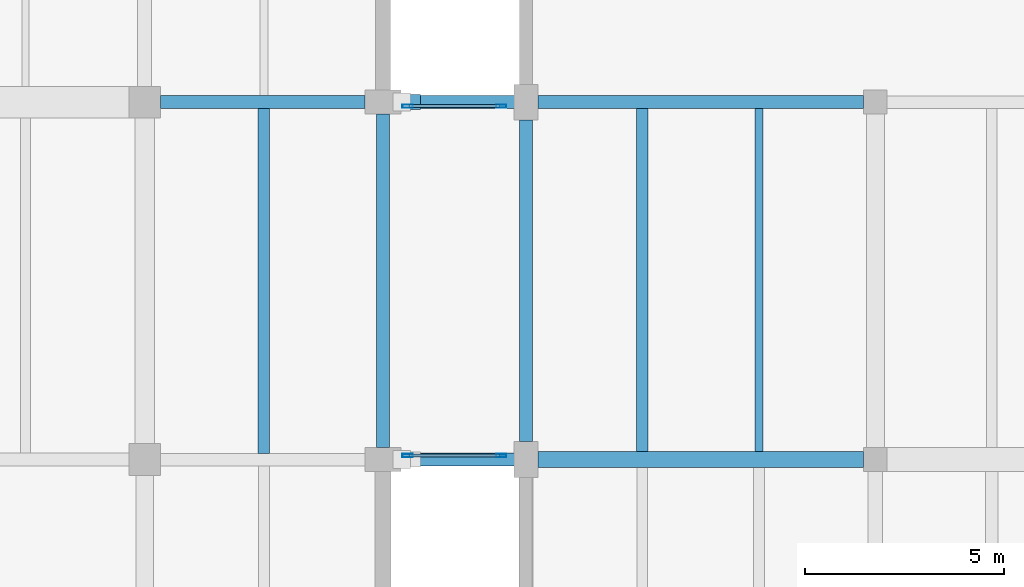
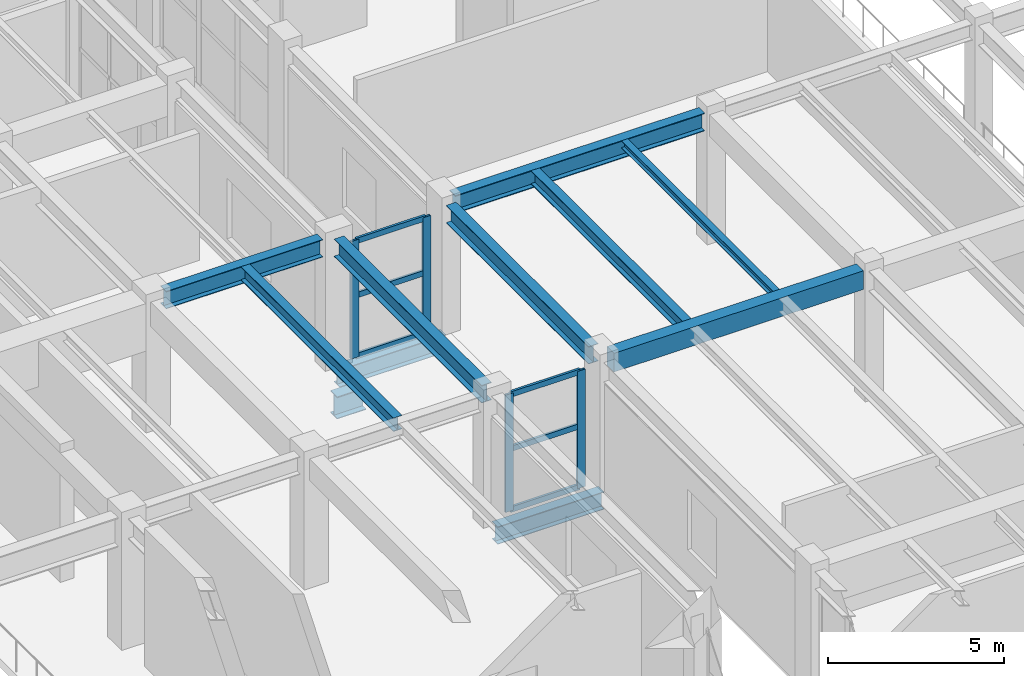
# One storey, part 33 of 96: 11 beams, 10 members, 2 elements without a shape of their own.
"""IFC4 building model written with IfcOpenShell, lengths in metres."""

from ifc_helpers import new_model, si_unit, direction, frame, origin, origin_2d, place, context, subcontext, project, spatial, rectangle, hollow_rectangle, i_section, extrude, material, layer, layer_set, material_profile, profile_set, type_object, element, aggregate, save


model = new_model("IFC4")

# Units and contexts
model_context = context("Model", 3, precision=1e-05, world=origin(), true_north=direction((0.0, 1.0)))
body_context = subcontext(model_context, "Body", "Model", "MODEL_VIEW")
ifc_project = project(units=[si_unit("LENGTHUNIT", "METRE"), si_unit("AREAUNIT", "SQUARE_METRE"), si_unit("VOLUMEUNIT", "CUBIC_METRE"), si_unit("PLANEANGLEUNIT", "RADIAN"), si_unit("MASSUNIT", "GRAM", prefix="KILO")], contexts=[model_context])

# Site, building, storey
site_placement = place(None, origin())
site = spatial("IfcSite", under=ifc_project, at=site_placement, CompositionType="ELEMENT")
building_placement = place(site_placement, origin())
building = spatial("IfcBuilding", under=site, at=building_placement, Name="Vaelkrest Opera House", CompositionType="ELEMENT")
storey_placement = place(building_placement, frame((0.0, 0.0, 5.39990234375)))
storey = spatial("IfcBuildingStorey", under=building, at=storey_placement, Name="L01", CompositionType="ELEMENT", Elevation=5.39990234375)

# Beams
ifc_material_1 = material(Name="Concrete C50/60", Category="concrete")
ifc_material_profile_1 = material_profile(ifc_material_1, rectangle(XDim=0.39990234375, YDim=0.64990234375, at=origin_2d()), Name="RCB400X650")
ifc_profile_set_1 = profile_set([ifc_material_profile_1], Name="Concrete C50/60")
beam_type_1 = type_object("IfcBeamType", Name="B01", PredefinedType="BEAM", material=ifc_profile_set_1)
beam_1_placement = place(storey_placement, frame((33.89990234375, -7.800048828125, 4.175048828125), z_axis=(1.0, 0.0, 0.0), x_axis=(0.0, 1.0, 0.0)))
element("IfcBeam", 1, at=beam_1_placement, inside=storey, type_object=beam_type_1, Name="Beam BM-V4-L01-2133", PredefinedType="BEAM", context=body_context, shape_type="SweptSolid", body=[
    extrude(rectangle(XDim=0.39990234375, YDim=0.64990234375, at=origin_2d()), origin(), (0.0, 0.0, 1.0), 8.2001953125),
])
ifc_material_2 = material(Name="Steel A992 Gr50", Category="steel")
ifc_material_profile_2 = material_profile(ifc_material_2, i_section(OverallWidth=0.323974609375, OverallDepth=0.611083984375, WebThickness=0.0126953125, FlangeThickness=0.01904296875, at=origin_2d()), Name="W24X104")
ifc_profile_set_2 = profile_set([ifc_material_profile_2], Name="Steel A992 Gr50")
beam_type_2 = type_object("IfcBeamType", Name="B08", PredefinedType="BEAM", material=ifc_profile_set_2)
beam_2_placement = place(storey_placement, frame((24.39990234375, 1.199951171875, 4.194580078125), z_axis=(1.0, 0.0, 0.0), x_axis=(0.0, 1.0, 0.0)))
element("IfcBeam", 2, at=beam_2_placement, inside=storey, type_object=beam_type_2, Name="Beam BM-V1-L01-0241", PredefinedType="BEAM", context=body_context, shape_type="SweptSolid", body=[
    extrude(i_section(OverallWidth=0.323974609375, OverallDepth=0.611083984375, WebThickness=0.0126953125, FlangeThickness=0.01904296875, at=origin_2d()), origin(), (0.0, 0.0, 1.0), 5.150146484375),
])
ifc_material_profile_3 = material_profile(ifc_material_2, i_section(OverallWidth=0.326904296875, OverallDepth=0.6220703125, WebThickness=0.015380859375, FlangeThickness=0.0244140625, at=origin_2d()), Name="W24X131")
ifc_profile_set_3 = profile_set([ifc_material_profile_3], Name="Steel A992 Gr50")
beam_type_3 = type_object("IfcBeamType", Name="B19", PredefinedType="BEAM", material=ifc_profile_set_3)
beam_3_placement = place(storey_placement, frame((33.89990234375, 1.199951171875, 4.189208984375), z_axis=(1.0, 0.0, 0.0), x_axis=(0.0, 1.0, 0.0)))
element("IfcBeam", 3, at=beam_3_placement, inside=storey, type_object=beam_type_3, Name="Beam BM-V4-L01-2139", PredefinedType="BEAM", context=body_context, shape_type="SweptSolid", body=[
    extrude(i_section(OverallWidth=0.326904296875, OverallDepth=0.6220703125, WebThickness=0.015380859375, FlangeThickness=0.0244140625, at=origin_2d()), origin(), (0.0, 0.0, 1.0), 8.2001953125),
])

# Curtain wall, members
ifc_material_3 = material(Name="Dark bronze anodized aluminium", Category="aluminium")
ifc_layer = layer(ifc_material_3, 0.2099609375)
ifc_layer_set = layer_set([ifc_layer], Name="Dark bronze anodized aluminium")
curtain_wall_type = type_object("IfcCurtainWallType", Name="CW04", PredefinedType="NOTDEFINED", material=ifc_layer_set)
curtain_wall_1_placement = place(storey_placement, origin())
curtain_wall_1 = element("IfcCurtainWall", 4, at=curtain_wall_1_placement, inside=storey, type_object=curtain_wall_type, Name="Curtain wall CW-L01-180", PredefinedType="NOTDEFINED")
ifc_material_profile_4 = material_profile(ifc_material_3, hollow_rectangle(XDim=0.080078125, YDim=0.260009765625, WallThickness=0.0048828125, at=origin_2d()), Name="CWM80X260")
ifc_profile_set_4 = profile_set([ifc_material_profile_4], Name="Dark bronze anodized aluminium")
member_type_1 = type_object("IfcMemberType", Name="CWM04", PredefinedType="MULLION", material=ifc_profile_set_4)
member_1_placement = place(storey_placement, frame((32.97998046875, -7.699951171875, 0.0), z_axis=(0.0, 0.0, 1.0), x_axis=(0.0, -1.0, 0.0)))
member_1 = element("IfcMember", 5, at=member_1_placement, type_object=member_type_1, Name="CW04 mullion 1", PredefinedType="MULLION", context=body_context, shape_type="SweptSolid", body=[
    extrude(hollow_rectangle(XDim=0.080078125, YDim=0.260009765625, WallThickness=0.0048828125, at=origin_2d()), origin(), (0.0, 0.0, 1.0), 4.080078125),
])
member_2_placement = place(storey_placement, frame((30.6201171875, -7.699951171875, 0.0), z_axis=(0.0, 0.0, 1.0), x_axis=(0.0, -1.0, 0.0)))
member_2 = element("IfcMember", 6, at=member_2_placement, type_object=member_type_1, Name="CW04 mullion 2", PredefinedType="MULLION", context=body_context, shape_type="SweptSolid", body=[
    extrude(hollow_rectangle(XDim=0.080078125, YDim=0.260009765625, WallThickness=0.0048828125, at=origin_2d()), origin(), (0.0, 0.0, 1.0), 4.080078125),
])

curtain_wall_2_placement = place(storey_placement, origin())
curtain_wall_2 = element("IfcCurtainWall", 7, at=curtain_wall_2_placement, inside=storey, type_object=curtain_wall_type, Name="Curtain wall CW-L01-181", PredefinedType="NOTDEFINED")
member_3_placement = place(storey_placement, frame((30.6201171875, 1.10009765625, 0.0), z_axis=(0.0, 0.0, 1.0), x_axis=(0.0, 1.0, 0.0)))
member_3 = element("IfcMember", 8, at=member_3_placement, type_object=member_type_1, Name="CW04 mullion 1", PredefinedType="MULLION", context=body_context, shape_type="SweptSolid", body=[
    extrude(hollow_rectangle(XDim=0.080078125, YDim=0.260009765625, WallThickness=0.0048828125, at=origin_2d()), origin(), (0.0, 0.0, 1.0), 4.080078125),
])
member_4_placement = place(storey_placement, frame((32.97998046875, 1.10009765625, 0.0), z_axis=(0.0, 0.0, 1.0), x_axis=(0.0, 1.0, 0.0)))
member_4 = element("IfcMember", 9, at=member_4_placement, type_object=member_type_1, Name="CW04 mullion 2", PredefinedType="MULLION", context=body_context, shape_type="SweptSolid", body=[
    extrude(hollow_rectangle(XDim=0.080078125, YDim=0.260009765625, WallThickness=0.0048828125, at=origin_2d()), origin(), (0.0, 0.0, 1.0), 4.080078125),
])

# Member
ifc_material_profile_5 = material_profile(ifc_material_3, hollow_rectangle(XDim=0.080078125, YDim=0.18994140625, WallThickness=0.0048828125, at=origin_2d()), Name="CWT80X190")
ifc_profile_set_5 = profile_set([ifc_material_profile_5], Name="Dark bronze anodized aluminium")
member_type_2 = type_object("IfcMemberType", Name="CWT04", PredefinedType="USERDEFINED", material=ifc_profile_set_5)
member_5_placement = place(storey_placement, frame((32.93994140625, -7.699951171875, 0.0400390625), z_axis=(-1.0, 0.0, 0.0), x_axis=(0.0, -1.0, 0.0)))
member_5 = element("IfcMember", 10, at=member_5_placement, type_object=member_type_2, Name="CW04 transom 1.1", ObjectType="TRANSOM", PredefinedType="USERDEFINED", context=body_context, shape_type="SweptSolid", body=[
    extrude(hollow_rectangle(XDim=0.080078125, YDim=0.18994140625, WallThickness=0.0048828125, at=origin_2d()), origin(), (0.0, 0.0, 1.0), 2.280029296875),
])

member_6_placement = place(storey_placement, frame((32.93994140625, -7.699951171875, 2.150146484375), z_axis=(-1.0, 0.0, 0.0), x_axis=(0.0, -1.0, 0.0)))
member_6 = element("IfcMember", 11, at=member_6_placement, type_object=member_type_2, Name="CW04 transom 1.2", ObjectType="TRANSOM", PredefinedType="USERDEFINED", context=body_context, shape_type="SweptSolid", body=[
    extrude(hollow_rectangle(XDim=0.080078125, YDim=0.18994140625, WallThickness=0.0048828125, at=origin_2d()), origin(), (0.0, 0.0, 1.0), 2.280029296875),
])

member_7_placement = place(storey_placement, frame((32.93994140625, -7.699951171875, 4.0400390625), z_axis=(-1.0, 0.0, 0.0), x_axis=(0.0, -1.0, 0.0)))
member_7 = element("IfcMember", 12, at=member_7_placement, type_object=member_type_2, Name="CW04 transom 1.3", ObjectType="TRANSOM", PredefinedType="USERDEFINED", context=body_context, shape_type="SweptSolid", body=[
    extrude(hollow_rectangle(XDim=0.080078125, YDim=0.18994140625, WallThickness=0.0048828125, at=origin_2d()), origin(), (0.0, 0.0, 1.0), 2.280029296875),
])

aggregate(curtain_wall_1, [member_1, member_2, member_5, member_6, member_7])

member_8_placement = place(storey_placement, frame((30.659912109375, 1.10009765625, 0.0400390625), z_axis=(1.0, 0.0, 0.0), x_axis=(0.0, 1.0, 0.0)))
member_8 = element("IfcMember", 13, at=member_8_placement, type_object=member_type_2, Name="CW04 transom 1.1", ObjectType="TRANSOM", PredefinedType="USERDEFINED", context=body_context, shape_type="SweptSolid", body=[
    extrude(hollow_rectangle(XDim=0.080078125, YDim=0.18994140625, WallThickness=0.0048828125, at=origin_2d()), origin(), (0.0, 0.0, 1.0), 2.280029296875),
])

member_9_placement = place(storey_placement, frame((30.659912109375, 1.10009765625, 2.150146484375), z_axis=(1.0, 0.0, 0.0), x_axis=(0.0, 1.0, 0.0)))
member_9 = element("IfcMember", 14, at=member_9_placement, type_object=member_type_2, Name="CW04 transom 1.2", ObjectType="TRANSOM", PredefinedType="USERDEFINED", context=body_context, shape_type="SweptSolid", body=[
    extrude(hollow_rectangle(XDim=0.080078125, YDim=0.18994140625, WallThickness=0.0048828125, at=origin_2d()), origin(), (0.0, 0.0, 1.0), 2.280029296875),
])

member_10_placement = place(storey_placement, frame((30.659912109375, 1.10009765625, 4.0400390625), z_axis=(1.0, 0.0, 0.0), x_axis=(0.0, 1.0, 0.0)))
member_10 = element("IfcMember", 15, at=member_10_placement, type_object=member_type_2, Name="CW04 transom 1.3", ObjectType="TRANSOM", PredefinedType="USERDEFINED", context=body_context, shape_type="SweptSolid", body=[
    extrude(hollow_rectangle(XDim=0.080078125, YDim=0.18994140625, WallThickness=0.0048828125, at=origin_2d()), origin(), (0.0, 0.0, 1.0), 2.280029296875),
])

aggregate(curtain_wall_2, [member_3, member_4, member_8, member_9, member_10])

# Beams
ifc_material_profile_6 = material_profile(ifc_material_2, i_section(OverallWidth=0.2041015625, OverallDepth=0.257080078125, WebThickness=0.0087890625, FlangeThickness=0.015625, at=origin_2d()), Name="W10X45")
ifc_profile_set_6 = profile_set([ifc_material_profile_6], Name="Steel A992 Gr50")
beam_type_4 = type_object("IfcBeamType", Name="J01", PredefinedType="JOIST", material=ifc_profile_set_6)
beam_4_placement = place(storey_placement, frame((39.467041015625, -7.60009765625, 4.37158203125), z_axis=(0.0, 1.0, 0.0), x_axis=(-1.0, 0.0, 0.0)))
element("IfcBeam", 16, at=beam_4_placement, inside=storey, type_object=beam_type_4, Name="Floor joist JST-V4-L01-2221", PredefinedType="JOIST", context=body_context, shape_type="SweptSolid", body=[
    extrude(i_section(OverallWidth=0.2041015625, OverallDepth=0.257080078125, WebThickness=0.0087890625, FlangeThickness=0.015625, at=origin_2d()), origin(), (0.0, 0.0, 1.0), 8.63671875),
])
ifc_material_profile_7 = material_profile(ifc_material_2, i_section(OverallWidth=0.282958984375, OverallDepth=0.471923828125, WebThickness=0.013671875, FlangeThickness=0.022216796875, at=origin_2d()), Name="W18X97")
ifc_profile_set_7 = profile_set([ifc_material_profile_7], Name="Steel A992 Gr50")
beam_type_5 = type_object("IfcBeamType", Name="J10", PredefinedType="JOIST", material=ifc_profile_set_7)
beam_5_placement = place(storey_placement, frame((27.0, -7.642578125, 4.26416015625), z_axis=(0.0, 1.0, 0.0), x_axis=(-1.0, 0.0, 0.0)))
element("IfcBeam", 17, at=beam_5_placement, inside=storey, type_object=beam_type_5, Name="Floor joist JST-V1-L01-0310", PredefinedType="JOIST", context=body_context, shape_type="SweptSolid", body=[
    extrude(i_section(OverallWidth=0.282958984375, OverallDepth=0.471923828125, WebThickness=0.013671875, FlangeThickness=0.022216796875, at=origin_2d()), origin(), (0.0, 0.0, 1.0), 8.6806640625),
])
beam_6_placement = place(storey_placement, frame((36.532958984375, -7.60009765625, 4.26416015625), z_axis=(0.0, 1.0, 0.0), x_axis=(-1.0, 0.0, 0.0)))
element("IfcBeam", 18, at=beam_6_placement, inside=storey, type_object=beam_type_5, Name="Floor joist JST-V4-L01-2220", PredefinedType="JOIST", context=body_context, shape_type="SweptSolid", body=[
    extrude(i_section(OverallWidth=0.282958984375, OverallDepth=0.471923828125, WebThickness=0.013671875, FlangeThickness=0.022216796875, at=origin_2d()), origin(), (0.0, 0.0, 1.0), 8.63671875),
])
ifc_material_profile_8 = material_profile(ifc_material_2, i_section(OverallWidth=0.323974609375, OverallDepth=0.611083984375, WebThickness=0.0126953125, FlangeThickness=0.01904296875, at=origin_2d()), Name="W24X104")
ifc_profile_set_8 = profile_set([ifc_material_profile_8], Name="Steel A992 Gr50")
beam_type_6 = type_object("IfcBeamType", Name="SP01", PredefinedType="SPANDREL", material=ifc_profile_set_8)
beam_7_placement = place(storey_placement, frame((30.0, -7.5, 4.194580078125), z_axis=(0.0, 1.0, 0.0), x_axis=(-1.0, 0.0, 0.0)))
element("IfcBeam", 19, at=beam_7_placement, inside=storey, type_object=beam_type_6, Name="Beam BM-V1-L01-0296", PredefinedType="SPANDREL", context=body_context, shape_type="SweptSolid", body=[
    extrude(i_section(OverallWidth=0.323974609375, OverallDepth=0.611083984375, WebThickness=0.0126953125, FlangeThickness=0.01904296875, at=origin_2d()), origin(), (0.0, 0.0, 1.0), 8.39990234375),
])
beam_8_placement = place(storey_placement, frame((33.60009765625, -7.35009765625, 4.194580078125), z_axis=(0.0, 1.0, 0.0), x_axis=(-1.0, 0.0, 0.0)))
element("IfcBeam", 20, at=beam_8_placement, inside=storey, type_object=beam_type_6, Name="Beam BM-V4-L01-2167", PredefinedType="SPANDREL", context=body_context, shape_type="SweptSolid", body=[
    extrude(i_section(OverallWidth=0.323974609375, OverallDepth=0.611083984375, WebThickness=0.0126953125, FlangeThickness=0.01904296875, at=origin_2d()), origin(), (0.0, 0.0, 1.0), 8.10009765625),
])
for number, where, z_axis, x_axis, name in (
    (21, (30.10009765625, -7.800048828125, -0.52978515625), (1.0, 0.0, 0.0), (0.0, 1.0, 0.0), "Bridge cantilever girder BR-E-L01 S"),
    (22, (30.10009765625, 1.199951171875, -0.52978515625), (1.0, 0.0, 0.0), (0.0, 1.0, 0.0), "Bridge cantilever girder BR-E-L01 N"),
):
    element("IfcBeam", number, at=place(storey_placement, frame(where, z_axis=z_axis, x_axis=x_axis)), inside=storey, type_object=beam_type_6, Name=name, PredefinedType="SPANDREL", context=body_context, shape_type="SweptSolid", body=[
        extrude(i_section(OverallWidth=0.323974609375, OverallDepth=0.611083984375, WebThickness=0.0126953125, FlangeThickness=0.01904296875, at=origin_2d()), origin(), (0.0, 0.0, 1.0), 3.5),
    ])
ifc_material_profile_9 = material_profile(ifc_material_2, i_section(OverallWidth=0.381103515625, OverallDepth=0.77294921875, WebThickness=0.0166015625, FlangeThickness=0.027099609375, at=origin_2d()), Name="W30X173")
ifc_profile_set_9 = profile_set([ifc_material_profile_9], Name="Steel A992 Gr50")
beam_type_7 = type_object("IfcBeamType", Name="SP03", PredefinedType="SPANDREL", material=ifc_profile_set_9)
beam_9_placement = place(storey_placement, frame((30.0, 1.199951171875, -1.5), z_axis=(1.0, 0.0, 0.0), x_axis=(0.0, 1.0, 0.0)))
element("IfcBeam", 23, at=beam_9_placement, inside=storey, type_object=beam_type_7, Name="Seismic bridge 950mm RC corbel seat BR-E-L01 N", PredefinedType="SPANDREL", context=body_context, shape_type="SweptSolid", body=[
    extrude(i_section(OverallWidth=0.381103515625, OverallDepth=0.77294921875, WebThickness=0.0166015625, FlangeThickness=0.027099609375, at=origin_2d()), origin(), (0.0, 0.0, 1.0), 0.949951171875),
])

save(model, "model.ifc")
